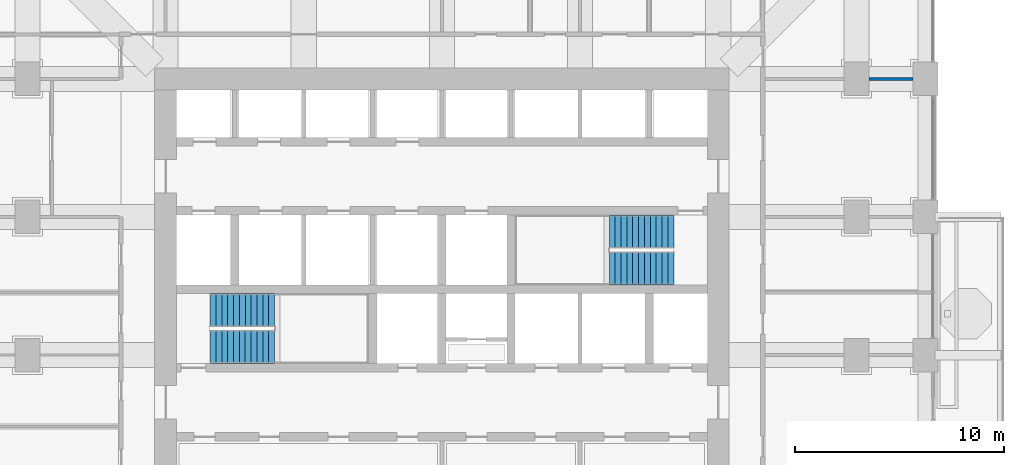
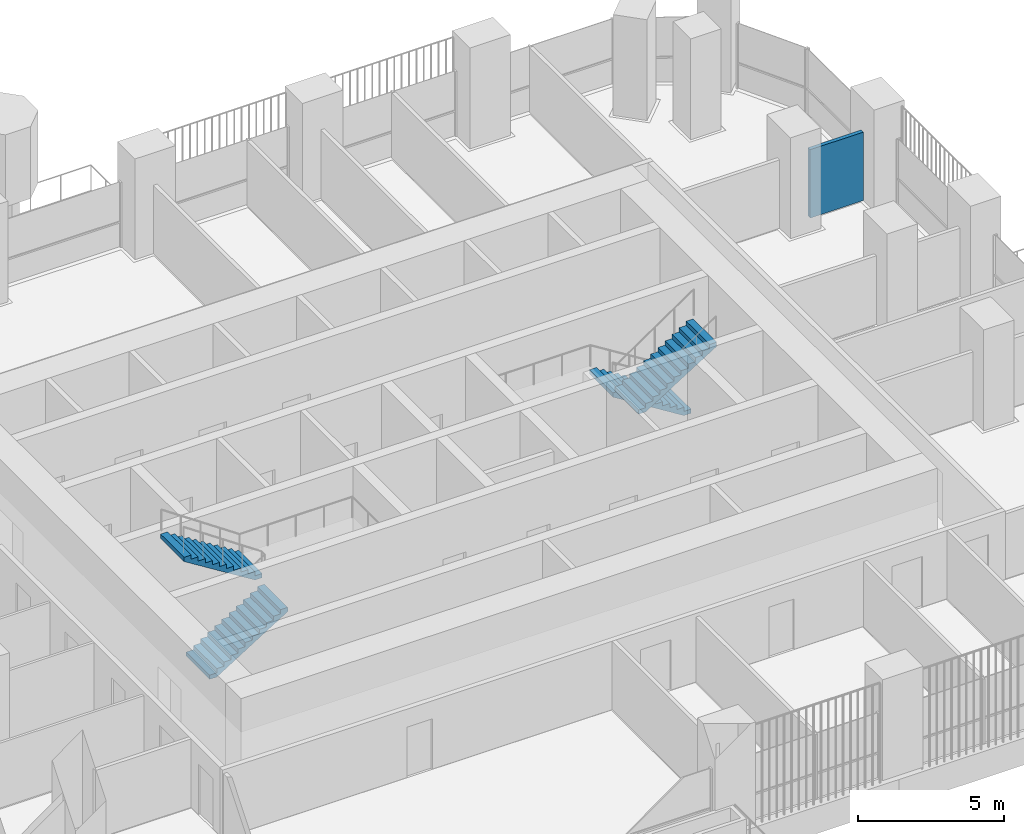
# One storey, part 15 of 20: 4 stair flights, 1 wall, 2 elements without a shape of their own.
"""IFC4 building model written with IfcOpenShell, lengths in metres."""

from ifc_helpers import new_model, si_unit, direction, frame, frame_2d, origin, place, context, subcontext, project, spatial, polyline, rectangle, outline, extrude, material, layer, layer_set, type_object, element, aggregate, save


model = new_model("IFC4")

# Units and contexts
model_context = context("Model", 3, precision=1e-05, world=origin(), true_north=direction((0.0, 1.0)))
body_context = subcontext(model_context, "Body", "Model", "MODEL_VIEW")
ifc_project = project(units=[si_unit("LENGTHUNIT", "METRE"), si_unit("AREAUNIT", "SQUARE_METRE"), si_unit("VOLUMEUNIT", "CUBIC_METRE"), si_unit("PLANEANGLEUNIT", "RADIAN"), si_unit("MASSUNIT", "GRAM", prefix="KILO")], contexts=[model_context])

# Site, building, storey
site_placement = place(None, origin())
site = spatial("IfcSite", under=ifc_project, at=site_placement, CompositionType="ELEMENT")
building_placement = place(site_placement, origin())
building = spatial("IfcBuilding", under=site, at=building_placement, Name="Cobogo Forest Laboratory Tower", CompositionType="ELEMENT")
storey_placement = place(building_placement, frame((0.0, 0.0, 168.300048828125)))
storey = spatial("IfcBuildingStorey", under=building, at=storey_placement, Name="L38", CompositionType="ELEMENT", Elevation=168.300048828125)

# Wall
ifc_material_1 = material(Name="Gypsum board on steel studs", Category="steel")
ifc_layer = layer(ifc_material_1, 0.14990234375)
ifc_layer_set = layer_set([ifc_layer], Name="PT1 laboratory partition 150")
wall_type = type_object("IfcWallType", Name="PT1 laboratory partition 150", PredefinedType="PARTITIONING", material=ifc_layer_set)
wall_placement = place(storey_placement, frame((48.89990234375, 33.0, 0.0), z_axis=(0.0, 0.0, 1.0), x_axis=(-1.0, 0.0, 0.0)))
element("IfcWall", 1, at=wall_placement, inside=storey, type_object=wall_type, Name="Partition CUT-E33-1 L38", PredefinedType="PARTITIONING", context=body_context, shape_type="SweptSolid", body=[
    extrude(rectangle(XDim=2.099853515625, YDim=0.14990234375, at=frame_2d((1.0498046875, 0.0))), origin(), (0.0, 0.0, 1.0), 2.849853515625),
])

# Stair, stair flights
ifc_material_2 = material(Name="Precast concrete HA-40 (C40/50)", Category="concrete")
stair_type = type_object("IfcStairType", Name="ST24 exit stair 24 risers", PredefinedType="HALF_TURN_STAIR", material=ifc_material_2)
stair_1_placement = place(storey_placement, origin())
stair_1 = element("IfcStair", 2, at=stair_1_placement, inside=storey, type_object=stair_type, Name="Stair 1 L38 to L39", PredefinedType="HALF_TURN_STAIR")
stair_flight_type = type_object("IfcStairFlightType", Name="ST stair flight 280 going", PredefinedType="STRAIGHT", material=ifc_material_2)
stair_flight_1_placement = place(storey_placement, frame((15.324951171875, 20.199951171875, 0.0), z_axis=(0.0, 0.0, 1.0), x_axis=(1.0, 0.0, 0.0)))
stair_flight_1 = element("IfcStairFlight", 3, at=stair_flight_1_placement, type_object=stair_flight_type, Name="ST1 flight 1", NumberOfRisers=12, NumberOfTreads=11, PredefinedType="STRAIGHT", RiserHeight=0.175, TreadLength=0.28, context=body_context, shape_type="SweptSolid", body=[
    extrude(outline(polyline([(0.0, 0.0), (0.0, 0.175048828125), (0.280029296875, 0.175048828125), (0.280029296875, 0.35009765625), (0.56005859375, 0.35009765625), (0.56005859375, 0.52490234375), (0.840087890625, 0.52490234375), (0.840087890625, 0.699951171875), (1.1201171875, 0.699951171875), (1.1201171875, 0.875), (1.39990234375, 0.875), (1.39990234375, 1.050048828125), (1.679931640625, 1.050048828125), (1.679931640625, 1.22509765625), (1.9599609375, 1.22509765625), (1.9599609375, 1.39990234375), (2.239990234375, 1.39990234375), (2.239990234375, 1.574951171875), (2.52001953125, 1.574951171875), (2.52001953125, 1.75), (2.800048828125, 1.75), (2.800048828125, 1.925048828125), (3.080078125, 1.925048828125), (3.080078125, 2.10009765625), (3.080078125, 1.748291015625), (0.28271484375, 0.0), (0.0, 0.0)])), frame((0.0, 0.800048828125, 0.0), z_axis=(0.0, -1.0, 0.0), x_axis=(1.0, 0.0, 0.0)), (0.0, 0.0, 1.0), 1.60009765625),
])
stair_flight_2_placement = place(storey_placement, frame((18.405029296875, 21.949951171875, 2.099853515625), z_axis=(0.0, 0.0, 1.0), x_axis=(-1.0, 0.0, 0.0)))
stair_flight_2 = element("IfcStairFlight", 4, at=stair_flight_2_placement, type_object=stair_flight_type, Name="ST1 flight 2", NumberOfRisers=12, NumberOfTreads=11, PredefinedType="STRAIGHT", RiserHeight=0.175, TreadLength=0.28, context=body_context, shape_type="SweptSolid", body=[
    extrude(outline(polyline([(0.0, 0.0), (0.0, 0.175048828125), (0.280029296875, 0.175048828125), (0.280029296875, 0.35009765625), (0.56005859375, 0.35009765625), (0.56005859375, 0.52490234375), (0.840087890625, 0.52490234375), (0.840087890625, 0.699951171875), (1.1201171875, 0.699951171875), (1.1201171875, 0.875), (1.39990234375, 0.875), (1.39990234375, 1.050048828125), (1.679931640625, 1.050048828125), (1.679931640625, 1.22509765625), (1.9599609375, 1.22509765625), (1.9599609375, 1.39990234375), (2.239990234375, 1.39990234375), (2.239990234375, 1.574951171875), (2.52001953125, 1.574951171875), (2.52001953125, 1.75), (2.800048828125, 1.75), (2.800048828125, 1.925048828125), (3.080078125, 1.925048828125), (3.080078125, 2.10009765625), (3.080078125, 1.748291015625), (0.28271484375, 0.0), (0.0, 0.0)])), frame((0.0, 0.800048828125, 0.0), z_axis=(0.0, -1.0, 0.0), x_axis=(1.0, 0.0, 0.0)), (0.0, 0.0, 1.0), 1.60009765625),
])
aggregate(stair_1, [stair_flight_1, stair_flight_2])

stair_2_placement = place(storey_placement, origin())
stair_2 = element("IfcStair", 5, at=stair_2_placement, inside=storey, type_object=stair_type, Name="Stair 2 L38 to L39", PredefinedType="HALF_TURN_STAIR")
stair_flight_3_placement = place(storey_placement, frame((37.47509765625, 25.699951171875, 0.0), z_axis=(0.0, 0.0, 1.0), x_axis=(-1.0, 0.0, 0.0)))
stair_flight_3 = element("IfcStairFlight", 6, at=stair_flight_3_placement, type_object=stair_flight_type, Name="ST2 flight 1", NumberOfRisers=12, NumberOfTreads=11, PredefinedType="STRAIGHT", RiserHeight=0.175, TreadLength=0.28, context=body_context, shape_type="SweptSolid", body=[
    extrude(outline(polyline([(0.0, 0.0), (0.0, 0.175048828125), (0.280029296875, 0.175048828125), (0.280029296875, 0.35009765625), (0.56005859375, 0.35009765625), (0.56005859375, 0.52490234375), (0.840087890625, 0.52490234375), (0.840087890625, 0.699951171875), (1.1201171875, 0.699951171875), (1.1201171875, 0.875), (1.39990234375, 0.875), (1.39990234375, 1.050048828125), (1.679931640625, 1.050048828125), (1.679931640625, 1.22509765625), (1.9599609375, 1.22509765625), (1.9599609375, 1.39990234375), (2.239990234375, 1.39990234375), (2.239990234375, 1.574951171875), (2.52001953125, 1.574951171875), (2.52001953125, 1.75), (2.800048828125, 1.75), (2.800048828125, 1.925048828125), (3.080078125, 1.925048828125), (3.080078125, 2.10009765625), (3.080078125, 1.748291015625), (0.28271484375, 0.0), (0.0, 0.0)])), frame((0.0, 0.800048828125, 0.0), z_axis=(0.0, -1.0, 0.0), x_axis=(1.0, 0.0, 0.0)), (0.0, 0.0, 1.0), 1.60009765625),
])
stair_flight_4_placement = place(storey_placement, frame((34.39501953125, 23.949951171875, 2.099853515625), z_axis=(0.0, 0.0, 1.0), x_axis=(1.0, 0.0, 0.0)))
stair_flight_4 = element("IfcStairFlight", 7, at=stair_flight_4_placement, type_object=stair_flight_type, Name="ST2 flight 2", NumberOfRisers=12, NumberOfTreads=11, PredefinedType="STRAIGHT", RiserHeight=0.175, TreadLength=0.28, context=body_context, shape_type="SweptSolid", body=[
    extrude(outline(polyline([(0.0, 0.0), (0.0, 0.175048828125), (0.280029296875, 0.175048828125), (0.280029296875, 0.35009765625), (0.56005859375, 0.35009765625), (0.56005859375, 0.52490234375), (0.840087890625, 0.52490234375), (0.840087890625, 0.699951171875), (1.1201171875, 0.699951171875), (1.1201171875, 0.875), (1.39990234375, 0.875), (1.39990234375, 1.050048828125), (1.679931640625, 1.050048828125), (1.679931640625, 1.22509765625), (1.9599609375, 1.22509765625), (1.9599609375, 1.39990234375), (2.239990234375, 1.39990234375), (2.239990234375, 1.574951171875), (2.52001953125, 1.574951171875), (2.52001953125, 1.75), (2.800048828125, 1.75), (2.800048828125, 1.925048828125), (3.080078125, 1.925048828125), (3.080078125, 2.10009765625), (3.080078125, 1.748291015625), (0.28271484375, 0.0), (0.0, 0.0)])), frame((0.0, 0.800048828125, 0.0), z_axis=(0.0, -1.0, 0.0), x_axis=(1.0, 0.0, 0.0)), (0.0, 0.0, 1.0), 1.60009765625),
])
aggregate(stair_2, [stair_flight_3, stair_flight_4])

save(model, "model.ifc")
